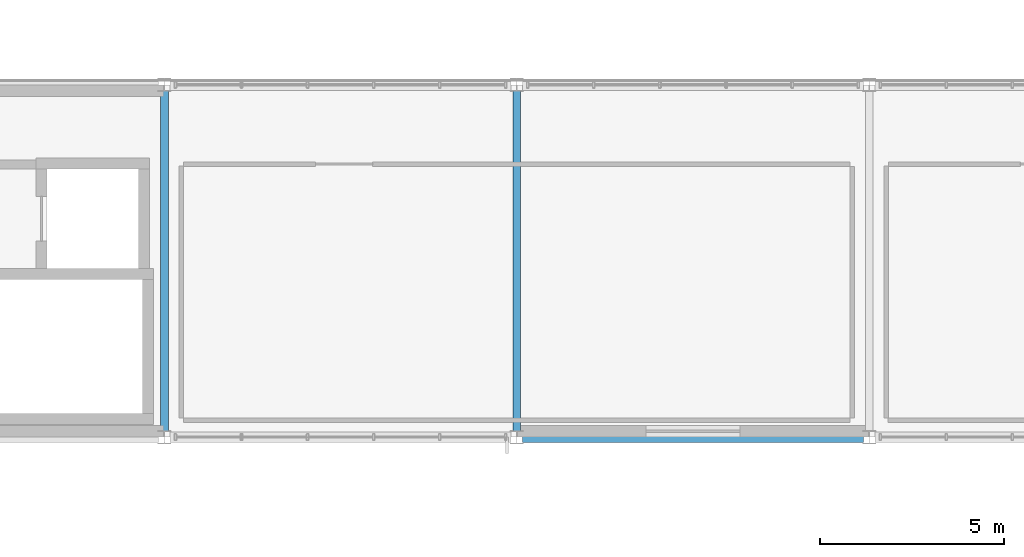
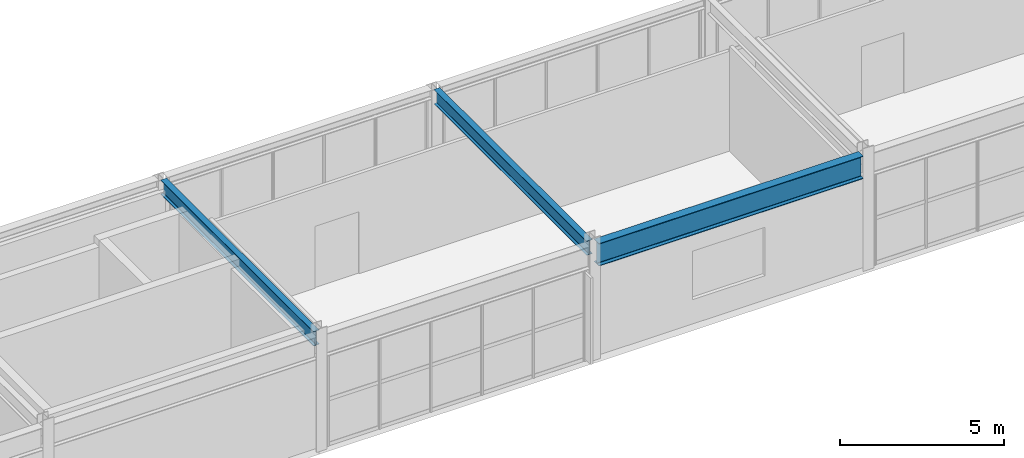
# One storey, part 75 of 170: 3 beams.
"""IFC4 building model written with IfcOpenShell, lengths in metres."""

from ifc_helpers import new_model, si_unit, direction, frame, origin, origin_2d, place, context, subcontext, project, spatial, i_section, extrude, material, material_profile, profile_set, type_object, element, save


model = new_model("IFC4")

# Units and contexts
model_context = context("Model", 3, precision=1e-05, world=origin(), true_north=direction((0.0, 1.0)))
body_context = subcontext(model_context, "Body", "Model", "MODEL_VIEW")
ifc_project = project(units=[si_unit("LENGTHUNIT", "METRE"), si_unit("AREAUNIT", "SQUARE_METRE"), si_unit("VOLUMEUNIT", "CUBIC_METRE"), si_unit("PLANEANGLEUNIT", "RADIAN"), si_unit("MASSUNIT", "GRAM", prefix="KILO")], contexts=[model_context])

# Site, building, storey
site_placement = place(None, origin())
site = spatial("IfcSite", under=ifc_project, at=site_placement, CompositionType="ELEMENT")
building_placement = place(site_placement, origin())
building = spatial("IfcBuilding", under=site, at=building_placement, Name="Coralgate Yard Interchange", CompositionType="ELEMENT")
storey_placement = place(building_placement, frame((0.0, 0.0, 6.0)))
storey = spatial("IfcBuildingStorey", under=building, at=storey_placement, Name="L01", CompositionType="ELEMENT", Elevation=6.0)

# Beams
ifc_material = material(Name="Structural steel S355J2", Category="steel")
ifc_material_profile_1 = material_profile(ifc_material, i_section(OverallWidth=0.209228515625, OverallDepth=0.533203125, WebThickness=0.010009765625, FlangeThickness=0.015625, FilletRadius=0.0126953125, at=origin_2d()), Name="UB 533x210x92")
ifc_profile_set_1 = profile_set([ifc_material_profile_1], Name="Structural steel S355J2")
beam_type_1 = type_object("IfcBeamType", Name="BM-SB-1", PredefinedType="BEAM", material=ifc_profile_set_1)
for number, where, z_axis, x_axis, name in (
    (1, (96.0, 38.55419921875, 3.9833984375), (0.0, 1.0, 0.0), (-1.0, 0.0, 0.0), "L01 primary grid girder X10 Y4-5"),
    (2, (105.60009765625, 38.55419921875, 3.9833984375), (0.0, 1.0, 0.0), (-1.0, 0.0, 0.0), "L01 primary grid girder X11 Y4-5"),
):
    element("IfcBeam", number, at=place(storey_placement, frame(where, z_axis=z_axis, x_axis=x_axis)), inside=storey, type_object=beam_type_1, Name=name, PredefinedType="BEAM", context=body_context, shape_type="SweptSolid", body=[
        extrude(i_section(OverallWidth=0.209228515625, OverallDepth=0.533203125, WebThickness=0.010009765625, FlangeThickness=0.015625, FilletRadius=0.0126953125, at=origin_2d()), origin(), (0.0, 0.0, 1.0), 9.291748046875),
    ])
ifc_material_profile_2 = material_profile(ifc_material, i_section(OverallWidth=0.29248046875, OverallDepth=0.8408203125, WebThickness=0.0146484375, FlangeThickness=0.021728515625, FilletRadius=0.017822265625, at=origin_2d()), Name="UB 838x292x194")
ifc_profile_set_2 = profile_set([ifc_material_profile_2], Name="Structural steel S355J2")
beam_type_2 = type_object("IfcBeamType", Name="BM-SG-2", PredefinedType="BEAM", material=ifc_profile_set_2)
beam_placement = place(storey_placement, frame((105.75634765625, 38.39990234375, 3.82958984375), z_axis=(1.0, 0.0, 0.0), x_axis=(0.0, 1.0, 0.0)))
element("IfcBeam", 3, at=beam_placement, inside=storey, type_object=beam_type_2, Name="L01 primary grid beam Y4 X11-12", PredefinedType="BEAM", context=body_context, shape_type="SweptSolid", body=[
    extrude(i_section(OverallWidth=0.29248046875, OverallDepth=0.8408203125, WebThickness=0.0146484375, FlangeThickness=0.021728515625, FilletRadius=0.017822265625, at=origin_2d()), origin(), (0.0, 0.0, 1.0), 9.287353515625),
])

save(model, "model.ifc")
